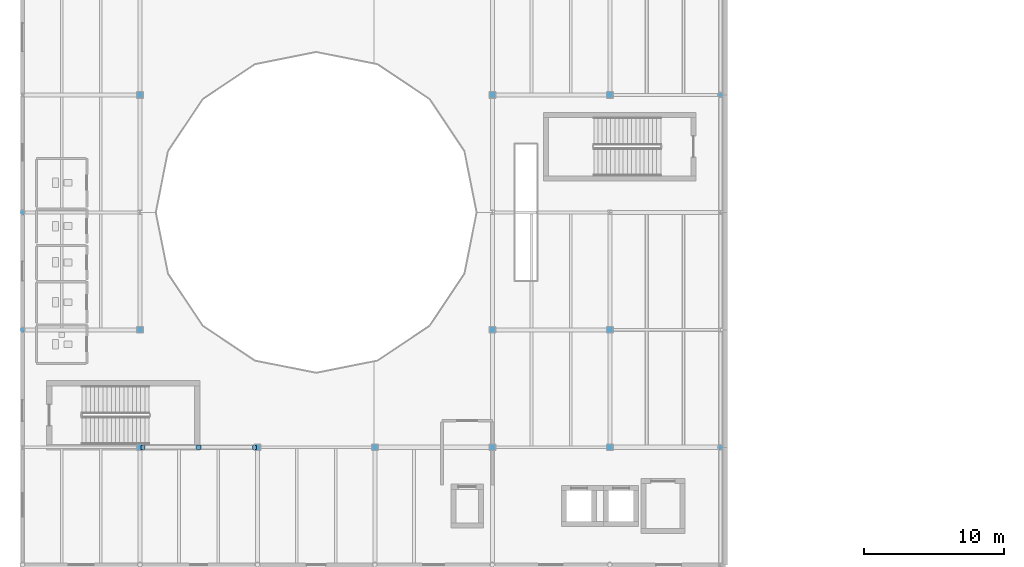
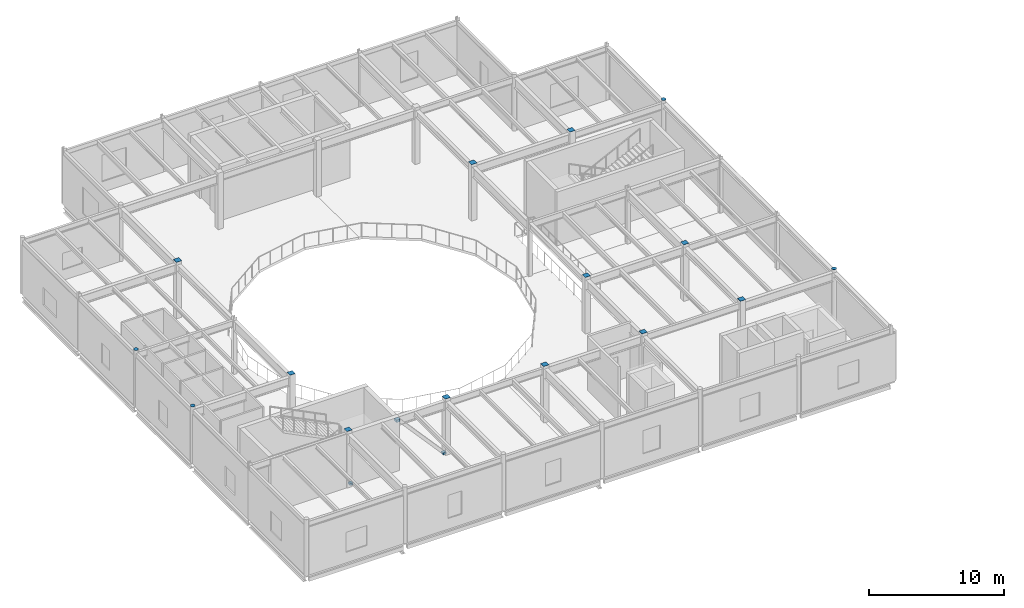
# One storey, part 41 of 57: 18 discrete accessories.
"""IFC4 building model written with IfcOpenShell, lengths in metres."""

from ifc_helpers import new_model, si_unit, direction, frame, origin, origin_2d, place, context, subcontext, project, spatial, rectangle, circle, extrude, material, type_object, element, save


model = new_model("IFC4")

# Units and contexts
model_context = context("Model", 3, precision=1e-05, world=origin(), true_north=direction((0.0, 1.0)))
body_context = subcontext(model_context, "Body", "Model", "MODEL_VIEW")
ifc_project = project(units=[si_unit("LENGTHUNIT", "METRE"), si_unit("AREAUNIT", "SQUARE_METRE"), si_unit("VOLUMEUNIT", "CUBIC_METRE"), si_unit("PLANEANGLEUNIT", "RADIAN"), si_unit("MASSUNIT", "GRAM", prefix="KILO"), si_unit("THERMODYNAMICTEMPERATUREUNIT", "KELVIN")], contexts=[model_context])

# Site, building, storey
site_placement = place(None, origin())
site = spatial("IfcSite", under=ifc_project, at=site_placement, CompositionType="ELEMENT")
building_placement = place(site_placement, origin())
building = spatial("IfcBuilding", under=site, at=building_placement, Name="Lustrewick Department Store", CompositionType="ELEMENT")
storey_placement = place(building_placement, frame((0.0, 0.0, 26.699951171875)))
storey = spatial("IfcBuildingStorey", under=building, at=storey_placement, Name="L06", CompositionType="ELEMENT", Elevation=26.699951171875)

# Discrete accessories
ifc_material = material(Name="Structural steel Q355C", Category="steel")
discrete_accessory_type_1 = type_object("IfcDiscreteAccessoryType", Name="GUS-NODE", PredefinedType="BRACKET", material=ifc_material)
for number, where, z_axis, x_axis, name in (
    (1, (17.02490234375, 50.39990234375, 0.06005859375), (0.0, 0.0, 1.0), (1.0, 0.0, 0.0), "L06 V1 Brace Base Gusset Plate"),
    (2, (24.97509765625, 50.39990234375, 0.06005859375), (0.0, 0.0, 1.0), (1.0, 0.0, 0.0), "L06 V1 Brace Base Gusset Plate"),
):
    element("IfcDiscreteAccessory", number, at=place(storey_placement, frame(where, z_axis=z_axis, x_axis=x_axis)), inside=storey, type_object=discrete_accessory_type_1, Name=name, PredefinedType="BRACKET", context=body_context, shape_type="SweptSolid", body=[
        extrude(rectangle(XDim=0.280029296875, YDim=0.280029296875, at=origin_2d()), origin(), (0.0, 0.0, 1.0), 0.179931640625),
    ])
discrete_accessory_1_placement = place(storey_placement, frame((21.0, 50.39990234375, 4.38525390625), z_axis=(0.0, 0.0, 1.0), x_axis=(1.0, 0.0, 0.0)))
element("IfcDiscreteAccessory", 3, at=discrete_accessory_1_placement, inside=storey, type_object=discrete_accessory_type_1, Name="L06 V1 Chevron Brace Apex Gusset Plate", PredefinedType="BRACKET", context=body_context, shape_type="SweptSolid", body=[
    extrude(rectangle(XDim=0.320068359375, YDim=0.320068359375, at=origin_2d()), origin(), (0.0, 0.0, 1.0), 0.219970703125),
])
discrete_accessory_type_2 = type_object("IfcDiscreteAccessoryType", Name="ECP-01", PredefinedType="USERDEFINED", material=ifc_material)
for number, where, z_axis, x_axis, name in (
    (4, (42.0, 75.60009765625, 5.093994140625), (0.0, 0.0, 1.0), (1.0, 0.0, 0.0), "L06 Welded Hollow-Section End-Cap Plate ECP-01"),
    (5, (50.39990234375, 50.39990234375, 5.093994140625), (0.0, 0.0, 1.0), (1.0, 0.0, 0.0), "L06 Welded Hollow-Section End-Cap Plate ECP-01"),
    (6, (50.39990234375, 58.800048828125, 5.093994140625), (0.0, 0.0, 1.0), (1.0, 0.0, 0.0), "L06 Welded Hollow-Section End-Cap Plate ECP-01"),
):
    element("IfcDiscreteAccessory", number, at=place(storey_placement, frame(where, z_axis=z_axis, x_axis=x_axis)), inside=storey, type_object=discrete_accessory_type_2, Name=name, ObjectType="END_CAP_PLATE", PredefinedType="USERDEFINED", context=body_context, shape_type="SweptSolid", body=[
        extrude(rectangle(XDim=0.449951171875, YDim=0.449951171875, at=origin_2d()), origin(), (0.0, 0.0, 1.0), 0.01611328125),
    ])
for number, where, z_axis, x_axis, name in (
    (7, (58.300048828125, 75.60009765625, 5.093994140625), (0.0, 0.0, 1.0), (1.0, 0.0, 0.0), "L06 Welded Hollow-Section End-Cap Plate ECP-01"),
    (8, (8.39990234375, 58.800048828125, 5.093994140625), (0.0, 0.0, 1.0), (1.0, 0.0, 0.0), "L06 Welded Hollow-Section End-Cap Plate ECP-01"),
):
    element("IfcDiscreteAccessory", number, at=place(storey_placement, frame(where, z_axis=z_axis, x_axis=x_axis)), inside=storey, type_object=discrete_accessory_type_2, Name=name, ObjectType="END_CAP_PLATE", PredefinedType="USERDEFINED", context=body_context, shape_type="SweptSolid", body=[
        extrude(circle(Radius=0.177978515625, at=origin_2d()), origin(), (0.0, 0.0, 1.0), 0.01611328125),
    ])
for number, where, z_axis, x_axis, name in (
    (9, (42.0, 50.39990234375, 5.093994140625), (0.0, 0.0, 1.0), (1.0, 0.0, 0.0), "L06 Welded Hollow-Section End-Cap Plate ECP-01"),
    (10, (25.199951171875, 50.39990234375, 5.093994140625), (0.0, 0.0, 1.0), (1.0, 0.0, 0.0), "L06 Welded Hollow-Section End-Cap Plate ECP-01"),
):
    element("IfcDiscreteAccessory", number, at=place(storey_placement, frame(where, z_axis=z_axis, x_axis=x_axis)), inside=storey, type_object=discrete_accessory_type_2, Name=name, ObjectType="END_CAP_PLATE", PredefinedType="USERDEFINED", context=body_context, shape_type="SweptSolid", body=[
        extrude(rectangle(XDim=0.449951171875, YDim=0.449951171875, at=origin_2d()), origin(), (0.0, 0.0, 1.0), 0.01611328125),
    ])
discrete_accessory_2_placement = place(storey_placement, frame((8.39990234375, 67.199951171875, 5.093994140625), z_axis=(0.0, 0.0, 1.0), x_axis=(1.0, 0.0, 0.0)))
element("IfcDiscreteAccessory", 11, at=discrete_accessory_2_placement, inside=storey, type_object=discrete_accessory_type_2, Name="L06 Welded Hollow-Section End-Cap Plate ECP-01", ObjectType="END_CAP_PLATE", PredefinedType="USERDEFINED", context=body_context, shape_type="SweptSolid", body=[
    extrude(circle(Radius=0.177978515625, at=origin_2d()), origin(), (0.0, 0.0, 1.0), 0.01611328125),
])
discrete_accessory_3_placement = place(storey_placement, frame((42.0, 58.800048828125, 5.093994140625), z_axis=(0.0, 0.0, 1.0), x_axis=(1.0, 0.0, 0.0)))
element("IfcDiscreteAccessory", 12, at=discrete_accessory_3_placement, inside=storey, type_object=discrete_accessory_type_2, Name="L06 Welded Hollow-Section End-Cap Plate ECP-01", ObjectType="END_CAP_PLATE", PredefinedType="USERDEFINED", context=body_context, shape_type="SweptSolid", body=[
    extrude(rectangle(XDim=0.449951171875, YDim=0.449951171875, at=origin_2d()), origin(), (0.0, 0.0, 1.0), 0.01611328125),
])
discrete_accessory_4_placement = place(storey_placement, frame((58.300048828125, 50.39990234375, 5.093994140625), z_axis=(0.0, 0.0, 1.0), x_axis=(1.0, 0.0, 0.0)))
element("IfcDiscreteAccessory", 13, at=discrete_accessory_4_placement, inside=storey, type_object=discrete_accessory_type_2, Name="L06 Welded Hollow-Section End-Cap Plate ECP-01", ObjectType="END_CAP_PLATE", PredefinedType="USERDEFINED", context=body_context, shape_type="SweptSolid", body=[
    extrude(circle(Radius=0.177978515625, at=origin_2d()), origin(), (0.0, 0.0, 1.0), 0.01611328125),
])
for number, where, z_axis, x_axis, name in (
    (14, (33.60009765625, 50.39990234375, 5.093994140625), (0.0, 0.0, 1.0), (1.0, 0.0, 0.0), "L06 Welded Hollow-Section End-Cap Plate ECP-01"),
    (15, (16.800048828125, 50.39990234375, 5.093994140625), (0.0, 0.0, 1.0), (1.0, 0.0, 0.0), "L06 Welded Hollow-Section End-Cap Plate ECP-01"),
    (16, (16.800048828125, 58.800048828125, 5.093994140625), (0.0, 0.0, 1.0), (1.0, 0.0, 0.0), "L06 Welded Hollow-Section End-Cap Plate ECP-01"),
    (17, (16.800048828125, 75.60009765625, 5.093994140625), (0.0, 0.0, 1.0), (1.0, 0.0, 0.0), "L06 Welded Hollow-Section End-Cap Plate ECP-01"),
    (18, (50.39990234375, 75.60009765625, 5.093994140625), (0.0, 0.0, 1.0), (1.0, 0.0, 0.0), "L06 Welded Hollow-Section End-Cap Plate ECP-01"),
):
    element("IfcDiscreteAccessory", number, at=place(storey_placement, frame(where, z_axis=z_axis, x_axis=x_axis)), inside=storey, type_object=discrete_accessory_type_2, Name=name, ObjectType="END_CAP_PLATE", PredefinedType="USERDEFINED", context=body_context, shape_type="SweptSolid", body=[
        extrude(rectangle(XDim=0.449951171875, YDim=0.449951171875, at=origin_2d()), origin(), (0.0, 0.0, 1.0), 0.01611328125),
    ])

save(model, "model.ifc")
